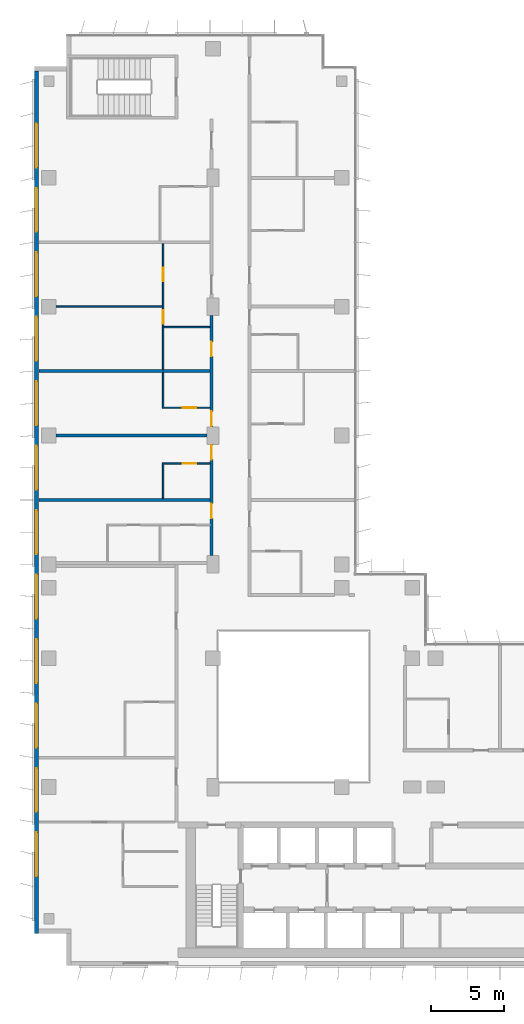
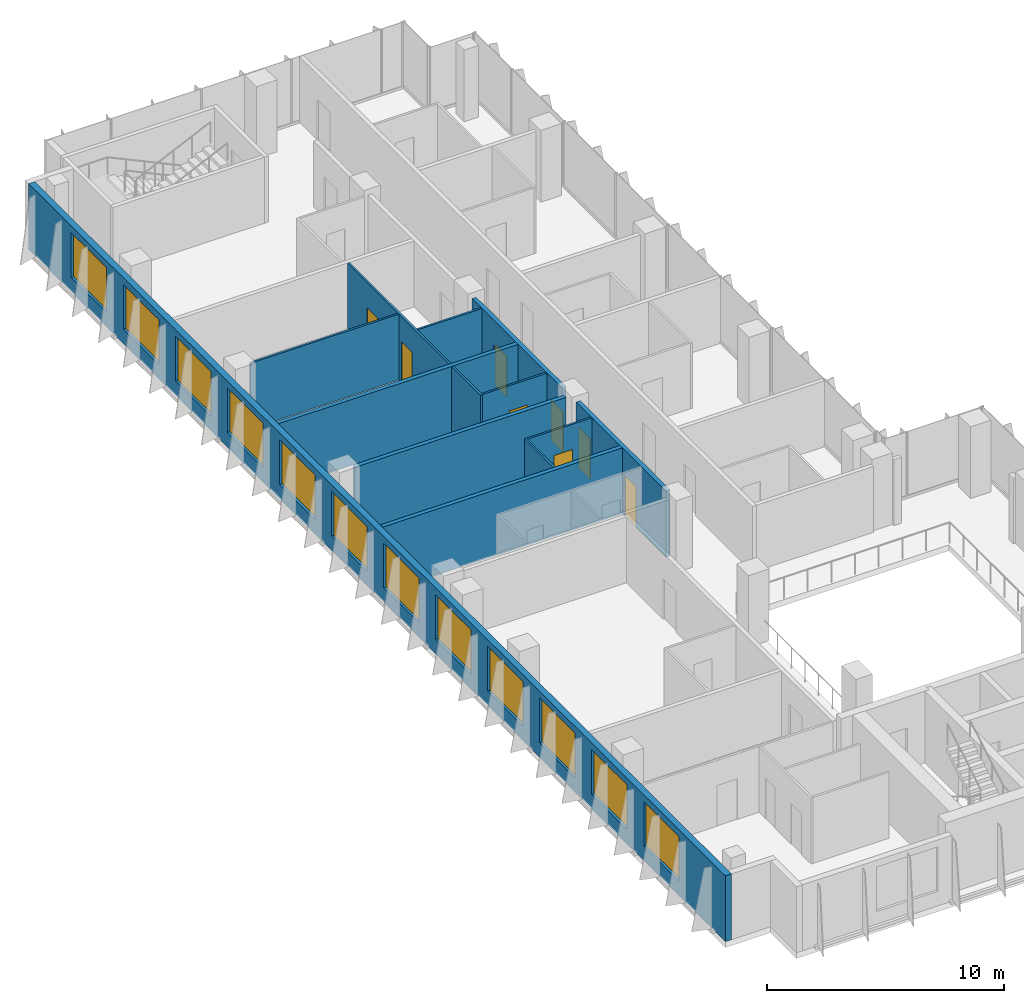
# One storey, part 16 of 21: 13 walls, 12 windows, 8 doors, 20 openings.
"""IFC4 building model written with IfcOpenShell, lengths in metres."""

from ifc_helpers import new_model, si_unit, direction, frame, frame_2d, origin, place, context, subcontext, project, spatial, rectangle, extrude, material, layer, layer_set, type_object, element, fill, save


model = new_model("IFC4")

# Units and contexts
model_context = context("Model", 3, precision=1e-05, world=origin(), true_north=direction((0.0, 1.0)))
body_context = subcontext(model_context, "Body", "Model", "MODEL_VIEW")
ifc_project = project(units=[si_unit("LENGTHUNIT", "METRE"), si_unit("AREAUNIT", "SQUARE_METRE"), si_unit("VOLUMEUNIT", "CUBIC_METRE"), si_unit("PLANEANGLEUNIT", "RADIAN"), si_unit("MASSUNIT", "GRAM", prefix="KILO")], contexts=[model_context])

# Site, building, storey
site_placement = place(None, origin())
site = spatial("IfcSite", under=ifc_project, at=site_placement, CompositionType="ELEMENT")
building_placement = place(site_placement, origin())
building = spatial("IfcBuilding", under=site, at=building_placement, Name="Kemantara Hotel Tower", CompositionType="ELEMENT")
storey_placement = place(building_placement, frame((0.0, 0.0, 179.0)))
storey = spatial("IfcBuildingStorey", under=building, at=storey_placement, Name="L44", CompositionType="ELEMENT", Elevation=179.0)

# Wall, openings, windows
ifc_material_1 = material(Name="Bronze anodised aluminium cladding on insulated steel stud wall", Category="steel")
ifc_layer_1 = layer(ifc_material_1, 0.300048828125)
ifc_layer_set_1 = layer_set([ifc_layer_1], Name="Bronze anodised aluminium cladding on insulated steel stud wall")
wall_type_1 = type_object("IfcWallType", Name="BRONZE METAL-CLAD EXTERNAL WALL 300", PredefinedType="STANDARD", material=ifc_layer_set_1)
wall_1_placement = place(storey_placement, frame((0.14990234375, 61.10009765625, 0.0), z_axis=(0.0, 0.0, 1.0), x_axis=(0.0, -1.0, 0.0)))
wall_1 = element("IfcWall", 1, at=wall_1_placement, inside=storey, type_object=wall_type_1, Name="EXTERNAL WALL L44 T3-R05", PredefinedType="STANDARD", context=body_context, shape_type="SweptSolid", body=[
    extrude(rectangle(XDim=58.900146484375, YDim=0.300048828125, at=frame_2d((29.4501953125, 0.0))), origin(), (0.0, 0.0, 1.0), 3.39990234375),
])
opening_1_placement = place(wall_1_placement, frame((3.60009765625, 0.0, 0.75)))
opening_1 = element("IfcOpeningElement", 2, at=opening_1_placement, cuts=wall_1, Name="Opening W1", PredefinedType="OPENING", context=body_context, shape_type="SweptSolid", body=[
    extrude(rectangle(XDim=3.0, YDim=2.300048828125, at=frame_2d((1.5, 1.14990234375))), frame((0.0, 0.159912109375, 0.0), z_axis=(0.0, -1.0, 0.0), x_axis=(1.0, 0.0, 0.0)), (0.0, 0.0, 1.0), 0.320068359375),
])
opening_2_placement = place(wall_1_placement, frame((8.0, 0.0, 0.75)))
opening_2 = element("IfcOpeningElement", 3, at=opening_2_placement, cuts=wall_1, Name="Opening W1", PredefinedType="OPENING", context=body_context, shape_type="SweptSolid", body=[
    extrude(rectangle(XDim=3.0, YDim=2.300048828125, at=frame_2d((1.5, 1.14990234375))), frame((0.0, 0.159912109375, 0.0), z_axis=(0.0, -1.0, 0.0), x_axis=(1.0, 0.0, 0.0)), (0.0, 0.0, 1.0), 0.320068359375),
])
opening_3_placement = place(wall_1_placement, frame((12.39990234375, 0.0, 0.75)))
opening_3 = element("IfcOpeningElement", 4, at=opening_3_placement, cuts=wall_1, Name="Opening W1", PredefinedType="OPENING", context=body_context, shape_type="SweptSolid", body=[
    extrude(rectangle(XDim=3.0, YDim=2.300048828125, at=frame_2d((1.5, 1.14990234375))), frame((0.0, 0.159912109375, 0.0), z_axis=(0.0, -1.0, 0.0), x_axis=(1.0, 0.0, 0.0)), (0.0, 0.0, 1.0), 0.320068359375),
])
opening_4_placement = place(wall_1_placement, frame((16.800048828125, 0.0, 0.75)))
opening_4 = element("IfcOpeningElement", 5, at=opening_4_placement, cuts=wall_1, Name="Opening W1", PredefinedType="OPENING", context=body_context, shape_type="SweptSolid", body=[
    extrude(rectangle(XDim=3.0, YDim=2.300048828125, at=frame_2d((1.5, 1.14990234375))), frame((0.0, 0.159912109375, 0.0), z_axis=(0.0, -1.0, 0.0), x_axis=(1.0, 0.0, 0.0)), (0.0, 0.0, 1.0), 0.320068359375),
])
opening_5_placement = place(wall_1_placement, frame((21.199951171875, 0.0, 0.75)))
opening_5 = element("IfcOpeningElement", 6, at=opening_5_placement, cuts=wall_1, Name="Opening W1", PredefinedType="OPENING", context=body_context, shape_type="SweptSolid", body=[
    extrude(rectangle(XDim=3.0, YDim=2.300048828125, at=frame_2d((1.5, 1.14990234375))), frame((0.0, 0.159912109375, 0.0), z_axis=(0.0, -1.0, 0.0), x_axis=(1.0, 0.0, 0.0)), (0.0, 0.0, 1.0), 0.320068359375),
])
opening_6_placement = place(wall_1_placement, frame((25.60009765625, 0.0, 0.75)))
opening_6 = element("IfcOpeningElement", 7, at=opening_6_placement, cuts=wall_1, Name="Opening W1", PredefinedType="OPENING", context=body_context, shape_type="SweptSolid", body=[
    extrude(rectangle(XDim=3.0, YDim=2.300048828125, at=frame_2d((1.5, 1.14990234375))), frame((0.0, 0.159912109375, 0.0), z_axis=(0.0, -1.0, 0.0), x_axis=(1.0, 0.0, 0.0)), (0.0, 0.0, 1.0), 0.320068359375),
])
opening_7_placement = place(wall_1_placement, frame((30.0, 0.0, 0.75)))
opening_7 = element("IfcOpeningElement", 8, at=opening_7_placement, cuts=wall_1, Name="Opening W1", PredefinedType="OPENING", context=body_context, shape_type="SweptSolid", body=[
    extrude(rectangle(XDim=3.0, YDim=2.300048828125, at=frame_2d((1.5, 1.14990234375))), frame((0.0, 0.159912109375, 0.0), z_axis=(0.0, -1.0, 0.0), x_axis=(1.0, 0.0, 0.0)), (0.0, 0.0, 1.0), 0.320068359375),
])
opening_8_placement = place(wall_1_placement, frame((34.39990234375, 0.0, 0.75)))
opening_8 = element("IfcOpeningElement", 9, at=opening_8_placement, cuts=wall_1, Name="Opening W1", PredefinedType="OPENING", context=body_context, shape_type="SweptSolid", body=[
    extrude(rectangle(XDim=3.0, YDim=2.300048828125, at=frame_2d((1.5, 1.14990234375))), frame((0.0, 0.159912109375, 0.0), z_axis=(0.0, -1.0, 0.0), x_axis=(1.0, 0.0, 0.0)), (0.0, 0.0, 1.0), 0.320068359375),
])
opening_9_placement = place(wall_1_placement, frame((38.800048828125, 0.0, 0.75)))
opening_9 = element("IfcOpeningElement", 10, at=opening_9_placement, cuts=wall_1, Name="Opening W1", PredefinedType="OPENING", context=body_context, shape_type="SweptSolid", body=[
    extrude(rectangle(XDim=3.0, YDim=2.300048828125, at=frame_2d((1.5, 1.14990234375))), frame((0.0, 0.159912109375, 0.0), z_axis=(0.0, -1.0, 0.0), x_axis=(1.0, 0.0, 0.0)), (0.0, 0.0, 1.0), 0.320068359375),
])
opening_10_placement = place(wall_1_placement, frame((43.199951171875, 0.0, 0.75)))
opening_10 = element("IfcOpeningElement", 11, at=opening_10_placement, cuts=wall_1, Name="Opening W1", PredefinedType="OPENING", context=body_context, shape_type="SweptSolid", body=[
    extrude(rectangle(XDim=3.0, YDim=2.300048828125, at=frame_2d((1.5, 1.14990234375))), frame((0.0, 0.159912109375, 0.0), z_axis=(0.0, -1.0, 0.0), x_axis=(1.0, 0.0, 0.0)), (0.0, 0.0, 1.0), 0.320068359375),
])
opening_11_placement = place(wall_1_placement, frame((47.60009765625, 0.0, 0.75)))
opening_11 = element("IfcOpeningElement", 12, at=opening_11_placement, cuts=wall_1, Name="Opening W1", PredefinedType="OPENING", context=body_context, shape_type="SweptSolid", body=[
    extrude(rectangle(XDim=3.0, YDim=2.300048828125, at=frame_2d((1.5, 1.14990234375))), frame((0.0, 0.159912109375, 0.0), z_axis=(0.0, -1.0, 0.0), x_axis=(1.0, 0.0, 0.0)), (0.0, 0.0, 1.0), 0.320068359375),
])
opening_12_placement = place(wall_1_placement, frame((52.0, 0.0, 0.75)))
opening_12 = element("IfcOpeningElement", 13, at=opening_12_placement, cuts=wall_1, Name="Opening W1", PredefinedType="OPENING", context=body_context, shape_type="SweptSolid", body=[
    extrude(rectangle(XDim=3.0, YDim=2.300048828125, at=frame_2d((1.5, 1.14990234375))), frame((0.0, 0.159912109375, 0.0), z_axis=(0.0, -1.0, 0.0), x_axis=(1.0, 0.0, 0.0)), (0.0, 0.0, 1.0), 0.320068359375),
])
ifc_material_2 = material(Name="Low-E tinted double insulated glass in bronze anodised aluminium frame", Category="aluminium")
window_type = type_object("IfcWindowType", Name="CHICAGO WINDOW, TRIPLE PANEL 3000x2300", PartitioningType="TRIPLE_PANEL_VERTICAL", PredefinedType="WINDOW", material=ifc_material_2)
window_1_placement = place(opening_1_placement, origin())
window_1 = element("IfcWindow", 14, at=window_1_placement, inside=storey, type_object=window_type, Name="CHICAGO WINDOW L44 T3-R05-54", OverallHeight=2.300048828125, OverallWidth=3.0, PartitioningType="SINGLE_PANEL", PredefinedType="WINDOW", context=body_context, shape_type="SweptSolid", body=[
    extrude(rectangle(XDim=3.0, YDim=2.300048828125, at=frame_2d((1.5, 1.14990234375))), frame((0.0, 0.030029296875, 0.0), z_axis=(0.0, -1.0, 0.0), x_axis=(1.0, 0.0, 0.0)), (0.0, 0.0, 1.0), 0.06005859375),
])
fill(opening_1, window_1)
window_2_placement = place(opening_2_placement, origin())
window_2 = element("IfcWindow", 15, at=window_2_placement, inside=storey, type_object=window_type, Name="CHICAGO WINDOW L44 T3-R05-98", OverallHeight=2.300048828125, OverallWidth=3.0, PartitioningType="SINGLE_PANEL", PredefinedType="WINDOW", context=body_context, shape_type="SweptSolid", body=[
    extrude(rectangle(XDim=3.0, YDim=2.300048828125, at=frame_2d((1.5, 1.14990234375))), frame((0.0, 0.030029296875, 0.0), z_axis=(0.0, -1.0, 0.0), x_axis=(1.0, 0.0, 0.0)), (0.0, 0.0, 1.0), 0.06005859375),
])
fill(opening_2, window_2)
window_3_placement = place(opening_3_placement, origin())
window_3 = element("IfcWindow", 16, at=window_3_placement, inside=storey, type_object=window_type, Name="CHICAGO WINDOW L44 T3-R05-142", OverallHeight=2.300048828125, OverallWidth=3.0, PartitioningType="SINGLE_PANEL", PredefinedType="WINDOW", context=body_context, shape_type="SweptSolid", body=[
    extrude(rectangle(XDim=3.0, YDim=2.300048828125, at=frame_2d((1.5, 1.14990234375))), frame((0.0, 0.030029296875, 0.0), z_axis=(0.0, -1.0, 0.0), x_axis=(1.0, 0.0, 0.0)), (0.0, 0.0, 1.0), 0.06005859375),
])
fill(opening_3, window_3)
window_4_placement = place(opening_4_placement, origin())
window_4 = element("IfcWindow", 17, at=window_4_placement, inside=storey, type_object=window_type, Name="CHICAGO WINDOW L44 T3-R05-186", OverallHeight=2.300048828125, OverallWidth=3.0, PartitioningType="SINGLE_PANEL", PredefinedType="WINDOW", context=body_context, shape_type="SweptSolid", body=[
    extrude(rectangle(XDim=3.0, YDim=2.300048828125, at=frame_2d((1.5, 1.14990234375))), frame((0.0, 0.030029296875, 0.0), z_axis=(0.0, -1.0, 0.0), x_axis=(1.0, 0.0, 0.0)), (0.0, 0.0, 1.0), 0.06005859375),
])
fill(opening_4, window_4)
window_5_placement = place(opening_5_placement, origin())
window_5 = element("IfcWindow", 18, at=window_5_placement, inside=storey, type_object=window_type, Name="CHICAGO WINDOW L44 T3-R05-230", OverallHeight=2.300048828125, OverallWidth=3.0, PartitioningType="SINGLE_PANEL", PredefinedType="WINDOW", context=body_context, shape_type="SweptSolid", body=[
    extrude(rectangle(XDim=3.0, YDim=2.300048828125, at=frame_2d((1.5, 1.14990234375))), frame((0.0, 0.030029296875, 0.0), z_axis=(0.0, -1.0, 0.0), x_axis=(1.0, 0.0, 0.0)), (0.0, 0.0, 1.0), 0.06005859375),
])
fill(opening_5, window_5)
window_6_placement = place(opening_6_placement, origin())
window_6 = element("IfcWindow", 19, at=window_6_placement, inside=storey, type_object=window_type, Name="CHICAGO WINDOW L44 T3-R05-274", OverallHeight=2.300048828125, OverallWidth=3.0, PartitioningType="SINGLE_PANEL", PredefinedType="WINDOW", context=body_context, shape_type="SweptSolid", body=[
    extrude(rectangle(XDim=3.0, YDim=2.300048828125, at=frame_2d((1.5, 1.14990234375))), frame((0.0, 0.030029296875, 0.0), z_axis=(0.0, -1.0, 0.0), x_axis=(1.0, 0.0, 0.0)), (0.0, 0.0, 1.0), 0.06005859375),
])
fill(opening_6, window_6)
window_7_placement = place(opening_7_placement, origin())
window_7 = element("IfcWindow", 20, at=window_7_placement, inside=storey, type_object=window_type, Name="CHICAGO WINDOW L44 T3-R05-318", OverallHeight=2.300048828125, OverallWidth=3.0, PartitioningType="SINGLE_PANEL", PredefinedType="WINDOW", context=body_context, shape_type="SweptSolid", body=[
    extrude(rectangle(XDim=3.0, YDim=2.300048828125, at=frame_2d((1.5, 1.14990234375))), frame((0.0, 0.030029296875, 0.0), z_axis=(0.0, -1.0, 0.0), x_axis=(1.0, 0.0, 0.0)), (0.0, 0.0, 1.0), 0.06005859375),
])
fill(opening_7, window_7)
window_8_placement = place(opening_8_placement, origin())
window_8 = element("IfcWindow", 21, at=window_8_placement, inside=storey, type_object=window_type, Name="CHICAGO WINDOW L44 T3-R05-362", OverallHeight=2.300048828125, OverallWidth=3.0, PartitioningType="SINGLE_PANEL", PredefinedType="WINDOW", context=body_context, shape_type="SweptSolid", body=[
    extrude(rectangle(XDim=3.0, YDim=2.300048828125, at=frame_2d((1.5, 1.14990234375))), frame((0.0, 0.030029296875, 0.0), z_axis=(0.0, -1.0, 0.0), x_axis=(1.0, 0.0, 0.0)), (0.0, 0.0, 1.0), 0.06005859375),
])
fill(opening_8, window_8)
window_9_placement = place(opening_9_placement, origin())
window_9 = element("IfcWindow", 22, at=window_9_placement, inside=storey, type_object=window_type, Name="CHICAGO WINDOW L44 T3-R05-406", OverallHeight=2.300048828125, OverallWidth=3.0, PartitioningType="SINGLE_PANEL", PredefinedType="WINDOW", context=body_context, shape_type="SweptSolid", body=[
    extrude(rectangle(XDim=3.0, YDim=2.300048828125, at=frame_2d((1.5, 1.14990234375))), frame((0.0, 0.030029296875, 0.0), z_axis=(0.0, -1.0, 0.0), x_axis=(1.0, 0.0, 0.0)), (0.0, 0.0, 1.0), 0.06005859375),
])
fill(opening_9, window_9)
window_10_placement = place(opening_10_placement, origin())
window_10 = element("IfcWindow", 23, at=window_10_placement, inside=storey, type_object=window_type, Name="CHICAGO WINDOW L44 T3-R05-450", OverallHeight=2.300048828125, OverallWidth=3.0, PartitioningType="SINGLE_PANEL", PredefinedType="WINDOW", context=body_context, shape_type="SweptSolid", body=[
    extrude(rectangle(XDim=3.0, YDim=2.300048828125, at=frame_2d((1.5, 1.14990234375))), frame((0.0, 0.030029296875, 0.0), z_axis=(0.0, -1.0, 0.0), x_axis=(1.0, 0.0, 0.0)), (0.0, 0.0, 1.0), 0.06005859375),
])
fill(opening_10, window_10)
window_11_placement = place(opening_11_placement, origin())
window_11 = element("IfcWindow", 24, at=window_11_placement, inside=storey, type_object=window_type, Name="CHICAGO WINDOW L44 T3-R05-494", OverallHeight=2.300048828125, OverallWidth=3.0, PartitioningType="SINGLE_PANEL", PredefinedType="WINDOW", context=body_context, shape_type="SweptSolid", body=[
    extrude(rectangle(XDim=3.0, YDim=2.300048828125, at=frame_2d((1.5, 1.14990234375))), frame((0.0, 0.030029296875, 0.0), z_axis=(0.0, -1.0, 0.0), x_axis=(1.0, 0.0, 0.0)), (0.0, 0.0, 1.0), 0.06005859375),
])
fill(opening_11, window_11)
window_12_placement = place(opening_12_placement, origin())
window_12 = element("IfcWindow", 25, at=window_12_placement, inside=storey, type_object=window_type, Name="CHICAGO WINDOW L44 T3-R05-538", OverallHeight=2.300048828125, OverallWidth=3.0, PartitioningType="SINGLE_PANEL", PredefinedType="WINDOW", context=body_context, shape_type="SweptSolid", body=[
    extrude(rectangle(XDim=3.0, YDim=2.300048828125, at=frame_2d((1.5, 1.14990234375))), frame((0.0, 0.030029296875, 0.0), z_axis=(0.0, -1.0, 0.0), x_axis=(1.0, 0.0, 0.0)), (0.0, 0.0, 1.0), 0.06005859375),
])
fill(opening_12, window_12)

# Wall, openings, doors
ifc_material_3 = material(Name="Gypsum board partition, steel studs and mineral wool, 200 mm", Category="steel")
ifc_layer_2 = layer(ifc_material_3, 0.199951171875)
ifc_layer_set_2 = layer_set([ifc_layer_2], Name="Gypsum board partition, steel studs and mineral wool, 200 mm")
wall_type_2 = type_object("IfcWallType", Name="CORRIDOR WALL 200", PredefinedType="PARTITIONING", material=ifc_layer_set_2)
wall_2_placement = place(storey_placement, frame((12.10009765625, 28.0, 0.0), z_axis=(0.0, 0.0, 1.0), x_axis=(0.0, 1.0, 0.0)))
wall_2 = element("IfcWall", 26, at=wall_2_placement, inside=storey, type_object=wall_type_2, Name="CORRIDOR WALL 200 014", PredefinedType="PARTITIONING", context=body_context, shape_type="SweptSolid", body=[
    extrude(rectangle(XDim=7.599853515625, YDim=0.199951171875, at=frame_2d((3.7998046875, 0.0))), origin(), (0.0, 0.0, 1.0), 3.39990234375),
])
opening_13_placement = place(wall_2_placement, frame((2.5498046875, 0.0, 0.0)))
opening_13 = element("IfcOpeningElement", 27, at=opening_13_placement, cuts=wall_2, Name="Opening F20-020", PredefinedType="OPENING", context=body_context, shape_type="SweptSolid", body=[
    extrude(rectangle(XDim=1.0, YDim=2.10009765625, at=frame_2d((0.5, 1.050048828125))), frame((0.0, 0.10986328125, 0.0), z_axis=(0.0, -1.0, 0.0), x_axis=(1.0, 0.0, 0.0)), (0.0, 0.0, 1.0), 0.219970703125),
])
opening_14_placement = place(wall_2_placement, frame((6.5498046875, 0.0, 0.0)))
opening_14 = element("IfcOpeningElement", 28, at=opening_14_placement, cuts=wall_2, Name="Opening F20-023", PredefinedType="OPENING", context=body_context, shape_type="SweptSolid", body=[
    extrude(rectangle(XDim=1.0, YDim=2.10009765625, at=frame_2d((0.5, 1.050048828125))), frame((0.0, 0.10986328125, 0.0), z_axis=(0.0, -1.0, 0.0), x_axis=(1.0, 0.0, 0.0)), (0.0, 0.0, 1.0), 0.219970703125),
])
ifc_material_4 = material(Name="Hardwood veneer door leaf with steel frame", Category="steel")
door_type_1 = type_object("IfcDoorType", Name="GUEST ROOM DOOR 1000 X 2100 FD30S", OperationType="NOTDEFINED", PredefinedType="DOOR", material=ifc_material_4)
door_1_placement = place(opening_13_placement, origin())
door_1 = element("IfcDoor", 29, at=door_1_placement, inside=storey, type_object=door_type_1, Name="GUEST ROOM DOOR F20-020", OperationType="SINGLE_SWING_RIGHT", OverallHeight=2.10009765625, OverallWidth=1.0, PredefinedType="DOOR", context=body_context, shape_type="SweptSolid", body=[
    extrude(rectangle(XDim=1.0, YDim=2.10009765625, at=frame_2d((0.5, 1.050048828125))), frame((0.0, 0.02490234375, 0.0), z_axis=(0.0, -1.0, 0.0), x_axis=(1.0, 0.0, 0.0)), (0.0, 0.0, 1.0), 0.050048828125),
])
fill(opening_13, door_1)
door_2_placement = place(opening_14_placement, origin())
door_2 = element("IfcDoor", 30, at=door_2_placement, inside=storey, type_object=door_type_1, Name="GUEST ROOM DOOR F20-023", OperationType="SINGLE_SWING_RIGHT", OverallHeight=2.10009765625, OverallWidth=1.0, PredefinedType="DOOR", context=body_context, shape_type="SweptSolid", body=[
    extrude(rectangle(XDim=1.0, YDim=2.10009765625, at=frame_2d((0.5, 1.050048828125))), frame((0.0, 0.02490234375, 0.0), z_axis=(0.0, -1.0, 0.0), x_axis=(1.0, 0.0, 0.0)), (0.0, 0.0, 1.0), 0.050048828125),
])
fill(opening_14, door_2)

wall_3_placement = place(storey_placement, frame((12.10009765625, 36.800048828125, 0.0), z_axis=(0.0, 0.0, 1.0), x_axis=(0.0, 1.0, 0.0)))
wall_3 = element("IfcWall", 31, at=wall_3_placement, inside=storey, type_object=wall_type_2, Name="CORRIDOR WALL 200 015", PredefinedType="PARTITIONING", context=body_context, shape_type="SweptSolid", body=[
    extrude(rectangle(XDim=7.599853515625, YDim=0.199951171875, at=frame_2d((3.7998046875, 0.0))), origin(), (0.0, 0.0, 1.0), 3.39990234375),
])
opening_15_placement = place(wall_3_placement, frame((0.0498046875, 0.0, 0.0)))
opening_15 = element("IfcOpeningElement", 32, at=opening_15_placement, cuts=wall_3, Name="Opening F20-025", PredefinedType="OPENING", context=body_context, shape_type="SweptSolid", body=[
    extrude(rectangle(XDim=1.0, YDim=2.10009765625, at=frame_2d((0.5, 1.050048828125))), frame((0.0, 0.10986328125, 0.0), z_axis=(0.0, -1.0, 0.0), x_axis=(1.0, 0.0, 0.0)), (0.0, 0.0, 1.0), 0.219970703125),
])
opening_16_placement = place(wall_3_placement, frame((4.7998046875, 0.0, 0.0)))
opening_16 = element("IfcOpeningElement", 33, at=opening_16_placement, cuts=wall_3, Name="Opening F20-027", PredefinedType="OPENING", context=body_context, shape_type="SweptSolid", body=[
    extrude(rectangle(XDim=1.0, YDim=2.10009765625, at=frame_2d((0.5, 1.050048828125))), frame((0.0, 0.10986328125, 0.0), z_axis=(0.0, -1.0, 0.0), x_axis=(1.0, 0.0, 0.0)), (0.0, 0.0, 1.0), 0.219970703125),
])
door_3_placement = place(opening_15_placement, origin())
door_3 = element("IfcDoor", 34, at=door_3_placement, inside=storey, type_object=door_type_1, Name="GUEST ROOM DOOR F20-025", OperationType="SINGLE_SWING_LEFT", OverallHeight=2.10009765625, OverallWidth=1.0, PredefinedType="DOOR", context=body_context, shape_type="SweptSolid", body=[
    extrude(rectangle(XDim=1.0, YDim=2.10009765625, at=frame_2d((0.5, 1.050048828125))), frame((0.0, 0.02490234375, 0.0), z_axis=(0.0, -1.0, 0.0), x_axis=(1.0, 0.0, 0.0)), (0.0, 0.0, 1.0), 0.050048828125),
])
fill(opening_15, door_3)
ifc_material_5 = material(Name="Steel door leaf with steel frame", Category="steel")
door_type_2 = type_object("IfcDoorType", Name="SERVICE ROOM DOOR 1000 X 2100 FD60", OperationType="NOTDEFINED", PredefinedType="DOOR", material=ifc_material_5)
door_4_placement = place(opening_16_placement, origin())
door_4 = element("IfcDoor", 35, at=door_4_placement, inside=storey, type_object=door_type_2, Name="SERVICE ROOM DOOR F20-027", OperationType="SINGLE_SWING_LEFT", OverallHeight=2.10009765625, OverallWidth=1.0, PredefinedType="DOOR", context=body_context, shape_type="SweptSolid", body=[
    extrude(rectangle(XDim=1.0, YDim=2.10009765625, at=frame_2d((0.5, 1.050048828125))), frame((0.0, 0.02490234375, 0.0), z_axis=(0.0, -1.0, 0.0), x_axis=(1.0, 0.0, 0.0)), (0.0, 0.0, 1.0), 0.050048828125),
])
fill(opening_16, door_4)

# Walls
ifc_layer_3 = layer(ifc_material_3, 0.199951171875)
ifc_layer_set_3 = layer_set([ifc_layer_3], Name="Gypsum board partition, steel studs and mineral wool, 200 mm")
wall_type_3 = type_object("IfcWallType", Name="GUEST ROOM PARTY WALL 200", PredefinedType="PARTITIONING", material=ifc_layer_set_3)
wall_4_placement = place(storey_placement, frame((0.31005859375, 31.800048828125, 0.0), z_axis=(0.0, 0.0, 1.0), x_axis=(1.0, 0.0, 0.0)))
element("IfcWall", 36, at=wall_4_placement, inside=storey, type_object=wall_type_3, Name="GUEST ROOM PARTY WALL 200 019", PredefinedType="PARTITIONING", context=body_context, shape_type="SweptSolid", body=[
    extrude(rectangle(XDim=11.68994140625, YDim=0.199951171875, at=frame_2d((5.844970703125, 0.0))), origin(), (0.0, 0.0, 1.0), 3.39990234375),
])
wall_5_placement = place(storey_placement, frame((1.5, 36.199951171875, 0.0), z_axis=(0.0, 0.0, 1.0), x_axis=(1.0, 0.0, 0.0)))
element("IfcWall", 37, at=wall_5_placement, inside=storey, type_object=wall_type_3, Name="GUEST ROOM PARTY WALL 200 021", PredefinedType="PARTITIONING", context=body_context, shape_type="SweptSolid", body=[
    extrude(rectangle(XDim=10.2998046875, YDim=0.199951171875, at=frame_2d((5.14990234375, 0.0))), origin(), (0.0, 0.0, 1.0), 3.39990234375),
])
wall_6_placement = place(storey_placement, frame((0.31005859375, 40.60009765625, 0.0), z_axis=(0.0, 0.0, 1.0), x_axis=(1.0, 0.0, 0.0)))
element("IfcWall", 38, at=wall_6_placement, inside=storey, type_object=wall_type_3, Name="GUEST ROOM PARTY WALL 200 022", PredefinedType="PARTITIONING", context=body_context, shape_type="SweptSolid", body=[
    extrude(rectangle(XDim=11.68994140625, YDim=0.199951171875, at=frame_2d((5.844970703125, 0.0))), origin(), (0.0, 0.0, 1.0), 3.39990234375),
])
ifc_material_6 = material(Name="Gypsum board partition on steel studs, 100 mm", Category="steel")
ifc_layer_4 = layer(ifc_material_6, 0.10009765625)
ifc_layer_set_4 = layer_set([ifc_layer_4], Name="Gypsum board partition on steel studs, 100 mm")
wall_type_4 = type_object("IfcWallType", Name="ROOM PARTITION 100", PredefinedType="PARTITIONING", material=ifc_layer_set_4)
wall_7_placement = place(storey_placement, frame((8.800048828125, 31.89990234375, 0.0), z_axis=(0.0, 0.0, 1.0), x_axis=(0.0, 1.0, 0.0)))
element("IfcWall", 39, at=wall_7_placement, inside=storey, type_object=wall_type_4, Name="ROOM PARTITION 100 052", PredefinedType="PARTITIONING", context=body_context, shape_type="SweptSolid", body=[
    extrude(rectangle(XDim=2.4501953125, YDim=0.10009765625, at=frame_2d((1.22509765625, 0.0))), origin(), (0.0, 0.0, 1.0), 3.39990234375),
])
wall_8_placement = place(storey_placement, frame((8.800048828125, 38.050048828125, 0.0), z_axis=(0.0, 0.0, 1.0), x_axis=(0.0, 1.0, 0.0)))
element("IfcWall", 40, at=wall_8_placement, inside=storey, type_object=wall_type_4, Name="ROOM PARTITION 100 053", PredefinedType="PARTITIONING", context=body_context, shape_type="SweptSolid", body=[
    extrude(rectangle(XDim=2.449951171875, YDim=0.10009765625, at=frame_2d((1.22509765625, 0.0))), origin(), (0.0, 0.0, 1.0), 3.39990234375),
])

# Wall, openings, doors
wall_9_placement = place(storey_placement, frame((8.800048828125, 40.699951171875, 0.0), z_axis=(0.0, 0.0, 1.0), x_axis=(0.0, 1.0, 0.0)))
wall_9 = element("IfcWall", 41, at=wall_9_placement, inside=storey, type_object=wall_type_4, Name="ROOM PARTITION 100 054", PredefinedType="PARTITIONING", context=body_context, shape_type="SweptSolid", body=[
    extrude(rectangle(XDim=8.60009765625, YDim=0.10009765625, at=frame_2d((4.300048828125, 0.0))), origin(), (0.0, 0.0, 1.0), 3.39990234375),
])
opening_17_placement = place(wall_9_placement, frame((3.14990234375, 0.0, 0.0)))
opening_17 = element("IfcOpeningElement", 42, at=opening_17_placement, cuts=wall_9, Name="Opening F20-029", PredefinedType="OPENING", context=body_context, shape_type="SweptSolid", body=[
    extrude(rectangle(XDim=0.89990234375, YDim=2.10009765625, at=frame_2d((0.449951171875, 1.050048828125))), frame((0.0, 0.06005859375, 0.0), z_axis=(0.0, -1.0, 0.0), x_axis=(1.0, 0.0, 0.0)), (0.0, 0.0, 1.0), 0.1201171875),
])
opening_18_placement = place(wall_9_placement, frame((6.050048828125, 0.0, 0.0)))
opening_18 = element("IfcOpeningElement", 43, at=opening_18_placement, cuts=wall_9, Name="Opening F20-030", PredefinedType="OPENING", context=body_context, shape_type="SweptSolid", body=[
    extrude(rectangle(XDim=0.89990234375, YDim=2.10009765625, at=frame_2d((0.449951171875, 1.050048828125))), frame((0.0, 0.06005859375, 0.0), z_axis=(0.0, -1.0, 0.0), x_axis=(1.0, 0.0, 0.0)), (0.0, 0.0, 1.0), 0.1201171875),
])
door_type_3 = type_object("IfcDoorType", Name="INTERNAL DOOR 900 X 2100", OperationType="NOTDEFINED", PredefinedType="DOOR", material=ifc_material_4)
door_5_placement = place(opening_17_placement, origin())
door_5 = element("IfcDoor", 44, at=door_5_placement, inside=storey, type_object=door_type_3, Name="INTERNAL DOOR F20-029", OperationType="SINGLE_SWING_LEFT", OverallHeight=2.10009765625, OverallWidth=0.89990234375, PredefinedType="DOOR", context=body_context, shape_type="SweptSolid", body=[
    extrude(rectangle(XDim=0.89990234375, YDim=2.10009765625, at=frame_2d((0.449951171875, 1.050048828125))), frame((0.0, 0.02490234375, 0.0), z_axis=(0.0, -1.0, 0.0), x_axis=(1.0, 0.0, 0.0)), (0.0, 0.0, 1.0), 0.050048828125),
])
fill(opening_17, door_5)
door_6_placement = place(opening_18_placement, origin())
door_6 = element("IfcDoor", 45, at=door_6_placement, inside=storey, type_object=door_type_3, Name="INTERNAL DOOR F20-030", OperationType="SINGLE_SWING_LEFT", OverallHeight=2.10009765625, OverallWidth=0.89990234375, PredefinedType="DOOR", context=body_context, shape_type="SweptSolid", body=[
    extrude(rectangle(XDim=0.89990234375, YDim=2.10009765625, at=frame_2d((0.449951171875, 1.050048828125))), frame((0.0, 0.02490234375, 0.0), z_axis=(0.0, -1.0, 0.0), x_axis=(1.0, 0.0, 0.0)), (0.0, 0.0, 1.0), 0.050048828125),
])
fill(opening_18, door_6)

# Wall, opening, door
wall_10_placement = place(storey_placement, frame((12.0, 34.300048828125, 0.0), z_axis=(0.0, 0.0, 1.0), x_axis=(-1.0, 0.0, 0.0)))
wall_10 = element("IfcWall", 46, at=wall_10_placement, inside=storey, type_object=wall_type_4, Name="ROOM PARTITION 100 055", PredefinedType="PARTITIONING", context=body_context, shape_type="SweptSolid", body=[
    extrude(rectangle(XDim=3.14990234375, YDim=0.10009765625, at=frame_2d((1.574951171875, 0.0))), origin(), (0.0, 0.0, 1.0), 3.39990234375),
])
opening_19_placement = place(wall_10_placement, frame((0.949951171875, 0.0, 0.0)))
opening_19 = element("IfcOpeningElement", 47, at=opening_19_placement, cuts=wall_10, Name="Opening F20-024", PredefinedType="OPENING", context=body_context, shape_type="SweptSolid", body=[
    extrude(rectangle(XDim=0.89990234375, YDim=2.10009765625, at=frame_2d((0.449951171875, 1.050048828125))), frame((0.0, 0.06005859375, 0.0), z_axis=(0.0, -1.0, 0.0), x_axis=(1.0, 0.0, 0.0)), (0.0, 0.0, 1.0), 0.1201171875),
])
door_type_4 = type_object("IfcDoorType", Name="BATHROOM DOOR 900 X 2100", OperationType="NOTDEFINED", PredefinedType="DOOR", material=ifc_material_4)
door_7_placement = place(opening_19_placement, origin())
door_7 = element("IfcDoor", 48, at=door_7_placement, inside=storey, type_object=door_type_4, Name="BATHROOM DOOR F20-024", OperationType="SINGLE_SWING_LEFT", OverallHeight=2.10009765625, OverallWidth=0.89990234375, PredefinedType="DOOR", context=body_context, shape_type="SweptSolid", body=[
    extrude(rectangle(XDim=0.89990234375, YDim=2.10009765625, at=frame_2d((0.449951171875, 1.050048828125))), frame((0.0, 0.02490234375, 0.0), z_axis=(0.0, -1.0, 0.0), x_axis=(1.0, 0.0, 0.0)), (0.0, 0.0, 1.0), 0.050048828125),
])
fill(opening_19, door_7)

wall_11_placement = place(storey_placement, frame((8.85009765625, 38.10009765625, 0.0), z_axis=(0.0, 0.0, 1.0), x_axis=(1.0, 0.0, 0.0)))
wall_11 = element("IfcWall", 49, at=wall_11_placement, inside=storey, type_object=wall_type_4, Name="ROOM PARTITION 100 056", PredefinedType="PARTITIONING", context=body_context, shape_type="SweptSolid", body=[
    extrude(rectangle(XDim=3.14990234375, YDim=0.10009765625, at=frame_2d((1.574951171875, 0.0))), origin(), (0.0, 0.0, 1.0), 3.39990234375),
])
opening_20_placement = place(wall_11_placement, frame((1.300048828125, 0.0, 0.0)))
opening_20 = element("IfcOpeningElement", 50, at=opening_20_placement, cuts=wall_11, Name="Opening F20-026", PredefinedType="OPENING", context=body_context, shape_type="SweptSolid", body=[
    extrude(rectangle(XDim=0.89990234375, YDim=2.10009765625, at=frame_2d((0.449951171875, 1.050048828125))), frame((0.0, 0.06005859375, 0.0), z_axis=(0.0, -1.0, 0.0), x_axis=(1.0, 0.0, 0.0)), (0.0, 0.0, 1.0), 0.1201171875),
])
door_8_placement = place(opening_20_placement, origin())
door_8 = element("IfcDoor", 51, at=door_8_placement, inside=storey, type_object=door_type_4, Name="BATHROOM DOOR F20-026", OperationType="SINGLE_SWING_RIGHT", OverallHeight=2.10009765625, OverallWidth=0.89990234375, PredefinedType="DOOR", context=body_context, shape_type="SweptSolid", body=[
    extrude(rectangle(XDim=0.89990234375, YDim=2.10009765625, at=frame_2d((0.449951171875, 1.050048828125))), frame((0.0, 0.02490234375, 0.0), z_axis=(0.0, -1.0, 0.0), x_axis=(1.0, 0.0, 0.0)), (0.0, 0.0, 1.0), 0.050048828125),
])
fill(opening_20, door_8)

# Walls
wall_12_placement = place(storey_placement, frame((8.85009765625, 43.60009765625, 0.0), z_axis=(0.0, 0.0, 1.0), x_axis=(1.0, 0.0, 0.0)))
element("IfcWall", 52, at=wall_12_placement, inside=storey, type_object=wall_type_4, Name="ROOM PARTITION 100 057", PredefinedType="PARTITIONING", context=body_context, shape_type="SweptSolid", body=[
    extrude(rectangle(XDim=3.14990234375, YDim=0.10009765625, at=frame_2d((1.574951171875, 0.0))), origin(), (0.0, 0.0, 1.0), 3.39990234375),
])
wall_13_placement = place(storey_placement, frame((1.5, 45.0, 0.0), z_axis=(0.0, 0.0, 1.0), x_axis=(1.0, 0.0, 0.0)))
element("IfcWall", 53, at=wall_13_placement, inside=storey, type_object=wall_type_4, Name="ROOM PARTITION 100 058", PredefinedType="PARTITIONING", context=body_context, shape_type="SweptSolid", body=[
    extrude(rectangle(XDim=7.25, YDim=0.10009765625, at=frame_2d((3.625, 0.0))), origin(), (0.0, 0.0, 1.0), 3.39990234375),
])

save(model, "model.ifc")
